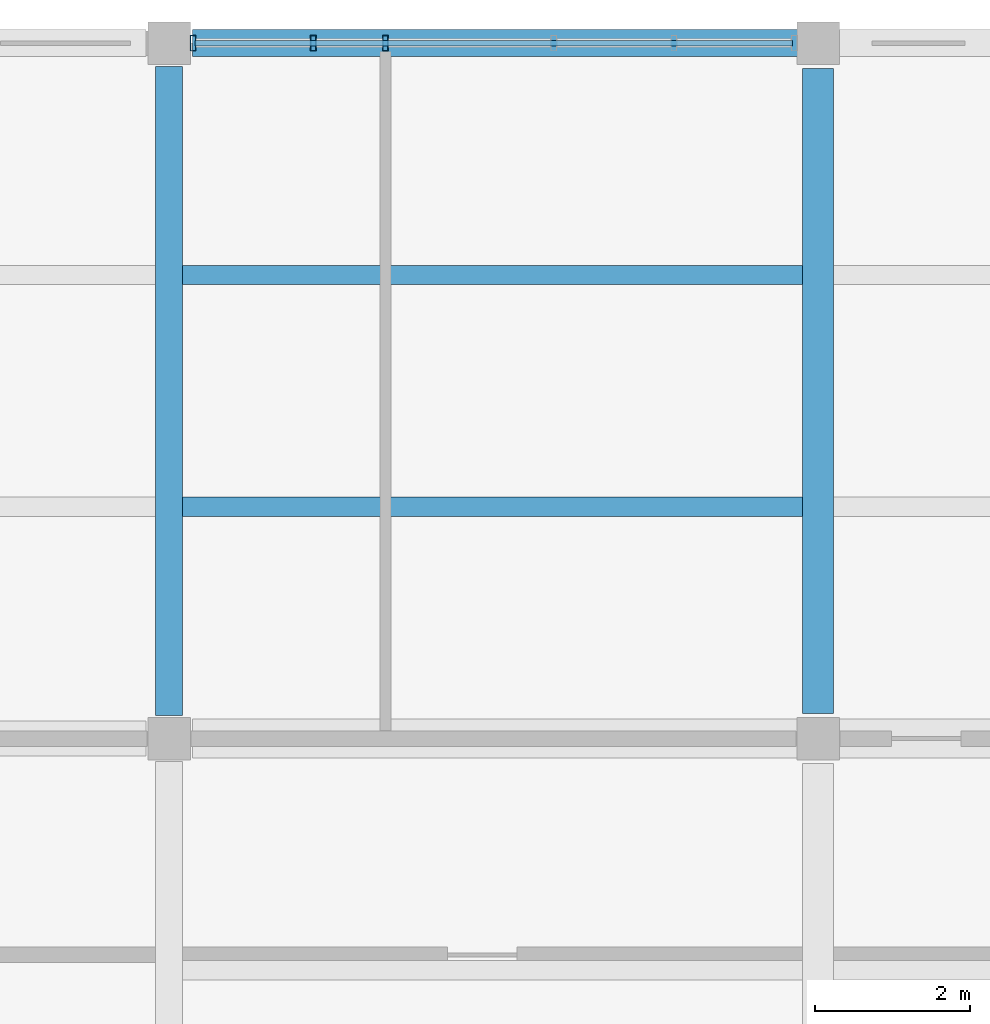
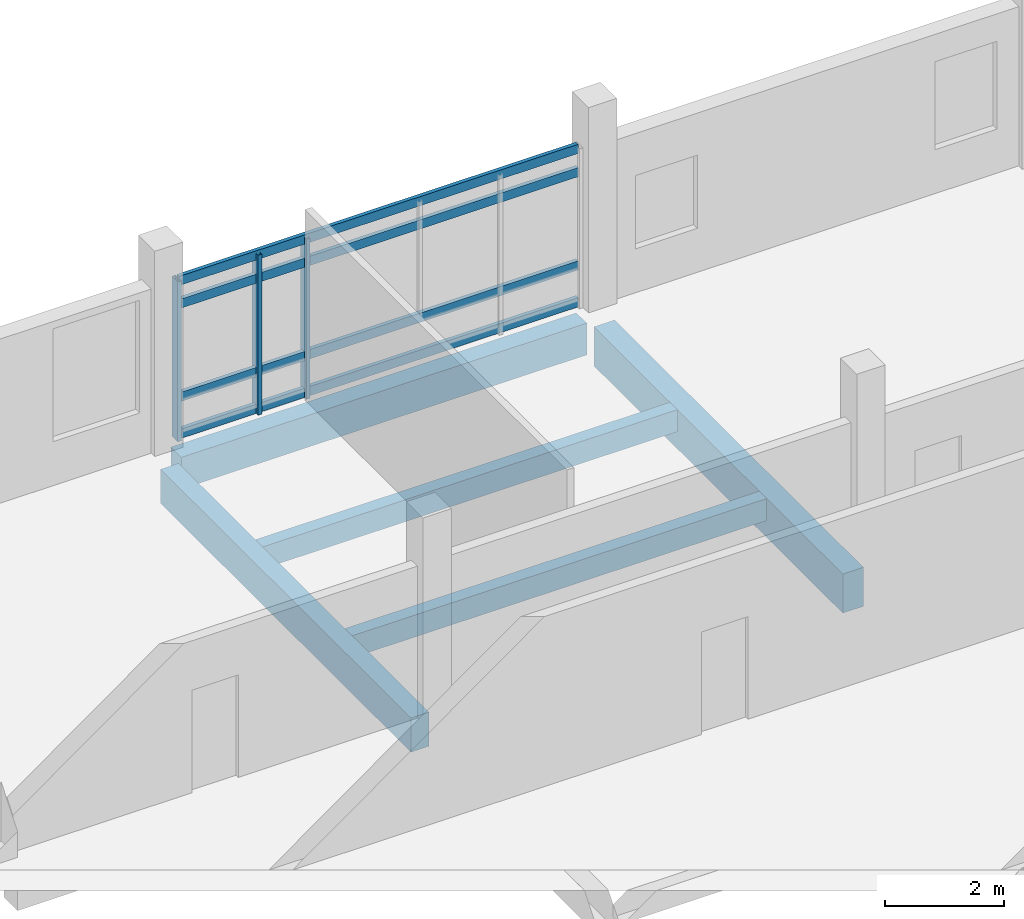
# One storey, part 79 of 130: 7 members, 5 beams, 1 element without a shape of its own.
"""IFC4 building model written with IfcOpenShell, lengths in metres."""

from ifc_helpers import new_model, si_unit, direction, frame, origin, origin_2d, place, context, subcontext, project, spatial, rectangle, hollow_rectangle, extrude, material, layer, layer_set, material_profile, profile_set, type_object, element, aggregate, save


model = new_model("IFC4")

# Units and contexts
model_context = context("Model", 3, precision=1e-05, world=origin(), true_north=direction((0.0, 1.0)))
body_context = subcontext(model_context, "Body", "Model", "MODEL_VIEW")
ifc_project = project(units=[si_unit("LENGTHUNIT", "METRE"), si_unit("AREAUNIT", "SQUARE_METRE"), si_unit("VOLUMEUNIT", "CUBIC_METRE"), si_unit("PLANEANGLEUNIT", "RADIAN"), si_unit("MASSUNIT", "GRAM", prefix="KILO")], contexts=[model_context])

# Site, building, storey
site_placement = place(None, origin())
site = spatial("IfcSite", under=ifc_project, at=site_placement, CompositionType="ELEMENT")
building_placement = place(site_placement, origin())
building = spatial("IfcBuilding", under=site, at=building_placement, Name="Vireocrest Preparatory School", CompositionType="ELEMENT")
storey_placement = place(building_placement, frame((0.0, 0.0, 9.0)))
storey = spatial("IfcBuildingStorey", under=building, at=storey_placement, Name="L02", CompositionType="ELEMENT", Elevation=9.0)

# Curtain wall, members
ifc_material_1 = material(Name="Thermally broken aluminium EN AW-6063-T6", Category="aluminium")
ifc_layer = layer(ifc_material_1, 0.179931640625)
ifc_layer_set = layer_set([ifc_layer], Name="Thermally broken aluminium EN AW-6063-T6")
curtain_wall_type = type_object("IfcCurtainWallType", Name="North Street Curtain Wall 8400x4000", PredefinedType="USERDEFINED", material=ifc_layer_set)
curtain_wall_placement = place(storey_placement, origin())
curtain_wall = element("IfcCurtainWall", 1, at=curtain_wall_placement, inside=storey, type_object=curtain_wall_type, Name="Curtain Wall CW05 CW_L02_CW05_0674_1128_090", ObjectType="CURTAIN WALL", PredefinedType="USERDEFINED")
ifc_material_profile_1 = material_profile(ifc_material_1, hollow_rectangle(XDim=0.074951171875, YDim=0.199951171875, WallThickness=0.0048828125, at=origin_2d()), Name="ALU 75x200x5")
ifc_profile_set_1 = profile_set([ifc_material_profile_1], Name="Thermally broken aluminium EN AW-6063-T6")
member_type_1 = type_object("IfcMemberType", Name="CW Mullion 75x200x5", PredefinedType="MULLION", material=ifc_profile_set_1)
member_1_placement = place(storey_placement, frame((67.510009765625, 112.800048828125, 0.0), z_axis=(0.0, 0.0, 1.0), x_axis=(1.0, 0.0, 0.0)))
member_1 = element("IfcMember", 2, at=member_1_placement, type_object=member_type_1, Name="CW Mullion ML3 CW_L02_CW05_0674_1128_090-1", PredefinedType="MULLION", context=body_context, shape_type="SweptSolid", body=[
    extrude(hollow_rectangle(XDim=0.074951171875, YDim=0.199951171875, WallThickness=0.0048828125, at=origin_2d()), origin(), (0.0, 0.0, 1.0), 3.27490234375),
])
member_2_placement = place(storey_placement, frame((69.06591796875, 112.800048828125, 0.0), z_axis=(0.0, 0.0, 1.0), x_axis=(1.0, 0.0, 0.0)))
member_2 = element("IfcMember", 3, at=member_2_placement, type_object=member_type_1, Name="CW Mullion ML3 CW_L02_CW05_0674_1128_090-2", PredefinedType="MULLION", context=body_context, shape_type="SweptSolid", body=[
    extrude(hollow_rectangle(XDim=0.074951171875, YDim=0.199951171875, WallThickness=0.0048828125, at=origin_2d()), origin(), (0.0, 0.0, 1.0), 3.27490234375),
])
member_3_placement = place(storey_placement, frame((70.0, 112.800048828125, 0.0), z_axis=(0.0, 0.0, 1.0), x_axis=(1.0, 0.0, 0.0)))
member_3 = element("IfcMember", 4, at=member_3_placement, type_object=member_type_1, Name="CW Mullion ML3 CW_L02_CW05_0674_1128_090-3", PredefinedType="MULLION", context=body_context, shape_type="SweptSolid", body=[
    extrude(hollow_rectangle(XDim=0.074951171875, YDim=0.199951171875, WallThickness=0.0048828125, at=origin_2d()), origin(), (0.0, 0.0, 1.0), 3.27490234375),
])
ifc_material_profile_2 = material_profile(ifc_material_1, hollow_rectangle(XDim=0.074951171875, YDim=0.18994140625, WallThickness=0.00390625, at=origin_2d()), Name="ALU 75x190x4")
ifc_profile_set_2 = profile_set([ifc_material_profile_2], Name="Thermally broken aluminium EN AW-6063-T6")
member_type_2 = type_object("IfcMemberType", Name="CW Transom 75x190x4", PredefinedType="USERDEFINED", material=ifc_profile_set_2)
member_4_placement = place(storey_placement, frame((67.534912109375, 112.800048828125, 0.094970703125), z_axis=(1.0, 0.0, 0.0), x_axis=(0.0, 1.0, 0.0)))
member_4 = element("IfcMember", 5, at=member_4_placement, type_object=member_type_2, Name="CW Transom TR3 CW_L02_CW05_0674_1128_090-1", ObjectType="TRANSOM", PredefinedType="USERDEFINED", context=body_context, shape_type="SweptSolid", body=[
    extrude(hollow_rectangle(XDim=0.074951171875, YDim=0.18994140625, WallThickness=0.00390625, at=origin_2d()), origin(), (0.0, 0.0, 1.0), 7.72998046875),
])
member_5_placement = place(storey_placement, frame((67.534912109375, 112.800048828125, 0.85009765625), z_axis=(1.0, 0.0, 0.0), x_axis=(0.0, 1.0, 0.0)))
member_5 = element("IfcMember", 6, at=member_5_placement, type_object=member_type_2, Name="CW Transom TR3 CW_L02_CW05_0674_1128_090-2", ObjectType="TRANSOM", PredefinedType="USERDEFINED", context=body_context, shape_type="SweptSolid", body=[
    extrude(hollow_rectangle(XDim=0.074951171875, YDim=0.18994140625, WallThickness=0.00390625, at=origin_2d()), origin(), (0.0, 0.0, 1.0), 7.72998046875),
])
member_6_placement = place(storey_placement, frame((67.534912109375, 112.800048828125, 2.760009765625), z_axis=(1.0, 0.0, 0.0), x_axis=(0.0, 1.0, 0.0)))
member_6 = element("IfcMember", 7, at=member_6_placement, type_object=member_type_2, Name="CW Transom TR3 CW_L02_CW05_0674_1128_090-3", ObjectType="TRANSOM", PredefinedType="USERDEFINED", context=body_context, shape_type="SweptSolid", body=[
    extrude(hollow_rectangle(XDim=0.074951171875, YDim=0.18994140625, WallThickness=0.00390625, at=origin_2d()), origin(), (0.0, 0.0, 1.0), 7.72998046875),
])
member_7_placement = place(storey_placement, frame((67.534912109375, 112.800048828125, 3.235107421875), z_axis=(1.0, 0.0, 0.0), x_axis=(0.0, 1.0, 0.0)))
member_7 = element("IfcMember", 8, at=member_7_placement, type_object=member_type_2, Name="CW Transom TR3 CW_L02_CW05_0674_1128_090-4", ObjectType="TRANSOM", PredefinedType="USERDEFINED", context=body_context, shape_type="SweptSolid", body=[
    extrude(hollow_rectangle(XDim=0.074951171875, YDim=0.18994140625, WallThickness=0.00390625, at=origin_2d()), origin(), (0.0, 0.0, 1.0), 7.72998046875),
])
aggregate(curtain_wall, [member_1, member_2, member_3, member_4, member_5, member_6, member_7])

# Beams
ifc_material_2 = material(Name="Concrete 40 MPa", Category="concrete")
ifc_material_profile_3 = material_profile(ifc_material_2, rectangle(XDim=0.35009765625, YDim=0.64990234375, at=origin_2d()), Name="RC 350x650")
ifc_profile_set_3 = profile_set([ifc_material_profile_3], Name="Concrete 40 MPa")
beam_type_1 = type_object("IfcBeamType", Name="RC Classroom Girder 350x650", PredefinedType="BEAM", material=ifc_profile_set_3)
beam_1_placement = place(storey_placement, frame((67.5, 112.800048828125, -0.60498046875), z_axis=(1.0, 0.0, 0.0), x_axis=(0.0, 1.0, 0.0)))
element("IfcBeam", 9, at=beam_1_placement, inside=storey, type_object=beam_type_1, Name="Primary Girder B05 L02-0777", PredefinedType="BEAM", context=body_context, shape_type="SweptSolid", body=[
    extrude(rectangle(XDim=0.35009765625, YDim=0.64990234375, at=origin_2d()), origin(), (0.0, 0.0, 1.0), 7.85009765625),
])
ifc_material_profile_4 = material_profile(ifc_material_2, rectangle(XDim=0.35009765625, YDim=0.699951171875, at=origin_2d()), Name="RC 350x700")
ifc_profile_set_4 = profile_set([ifc_material_profile_4], Name="Concrete 40 MPa")
beam_type_2 = type_object("IfcBeamType", Name="RC Laboratory Girder 350x700", PredefinedType="BEAM", material=ifc_profile_set_4)
beam_2_placement = place(storey_placement, frame((67.199951171875, 104.10009765625, -0.6298828125), z_axis=(0.0, 1.0, 0.0), x_axis=(-1.0, 0.0, 0.0)))
element("IfcBeam", 10, at=beam_2_placement, inside=storey, type_object=beam_type_2, Name="Primary Girder B06 L02-0827", PredefinedType="BEAM", context=body_context, shape_type="SweptSolid", body=[
    extrude(rectangle(XDim=0.35009765625, YDim=0.699951171875, at=origin_2d()), origin(), (0.0, 0.0, 1.0), 8.39990234375),
])
ifc_material_profile_5 = material_profile(ifc_material_2, rectangle(XDim=0.39990234375, YDim=0.800048828125, at=origin_2d()), Name="RC 400x800")
ifc_profile_set_5 = profile_set([ifc_material_profile_5], Name="Concrete 40 MPa")
beam_type_3 = type_object("IfcBeamType", Name="RC Library Reading Girder 400x800", PredefinedType="BEAM", material=ifc_profile_set_5)
beam_3_placement = place(storey_placement, frame((75.60009765625, 104.125, -0.679931640625), z_axis=(0.0, 1.0, 0.0), x_axis=(-1.0, 0.0, 0.0)))
element("IfcBeam", 11, at=beam_3_placement, inside=storey, type_object=beam_type_3, Name="Primary Girder B10 L02-0831", PredefinedType="BEAM", context=body_context, shape_type="SweptSolid", body=[
    extrude(rectangle(XDim=0.39990234375, YDim=0.800048828125, at=origin_2d()), origin(), (0.0, 0.0, 1.0), 8.35009765625),
])
ifc_material_profile_6 = material_profile(ifc_material_2, rectangle(XDim=0.25, YDim=0.449951171875, at=origin_2d()), Name="RC 250x450")
ifc_profile_set_6 = profile_set([ifc_material_profile_6], Name="Concrete 40 MPa")
beam_type_4 = type_object("IfcBeamType", Name="RC Secondary Floor Joist 250x450", PredefinedType="JOIST", material=ifc_profile_set_6)
for number, where, z_axis, x_axis, name in (
    (12, (67.375, 106.800048828125, -0.5048828125), (1.0, 0.0, 0.0), (0.0, 1.0, 0.0), "Secondary Joist J01 L02-0950"),
    (13, (67.375, 109.800048828125, -0.5048828125), (1.0, 0.0, 0.0), (0.0, 1.0, 0.0), "Secondary Joist J01 L02-0951"),
):
    element("IfcBeam", number, at=place(storey_placement, frame(where, z_axis=z_axis, x_axis=x_axis)), inside=storey, type_object=beam_type_4, Name=name, PredefinedType="JOIST", context=body_context, shape_type="SweptSolid", body=[
        extrude(rectangle(XDim=0.25, YDim=0.449951171875, at=origin_2d()), origin(), (0.0, 0.0, 1.0), 8.02490234375),
    ])

save(model, "model.ifc")
